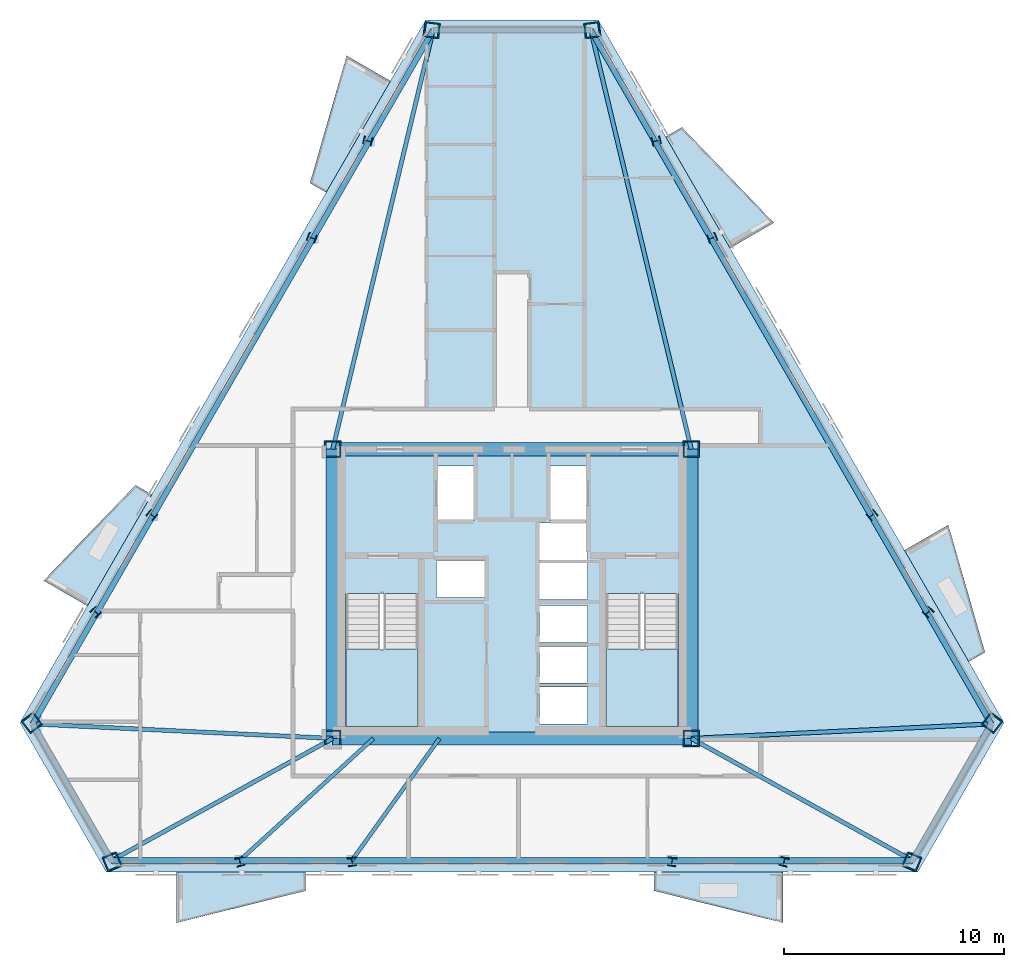
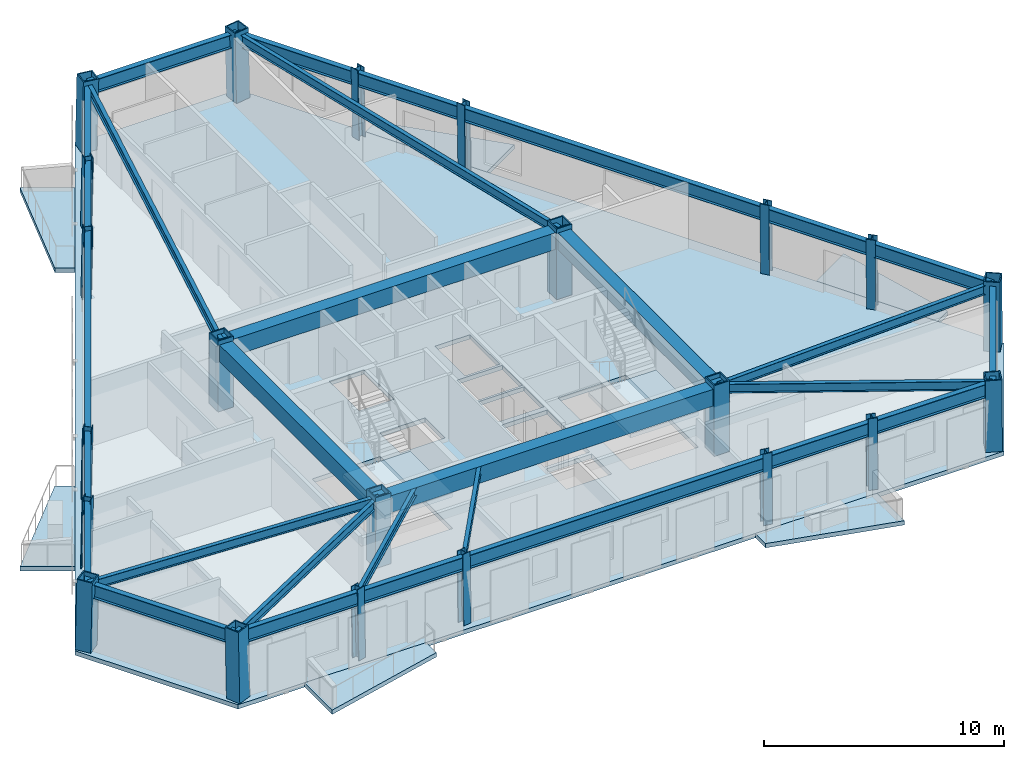
# One storey, part 1 of 9: 30 beams, 22 columns, 9 slabs, 2 elements without a shape of their own.
"""IFC4 building model written with IfcOpenShell, lengths in metres."""

import ifcopenshell
import ifcopenshell.guid

model = None  # the IFC model being written
_history = None  # IfcOwnerHistory: only IFC2X3 demands one
_inside = {}  # id of a spatial element -> (the spatial element, [elements in it])
_under = {}  # id of a project, library or spatial element -> (it, [spatial elements below it])
_declared = {}  # id of a project -> (the project, [libraries it declares])
_typed = {}  # id of a type object -> (the type object, [elements of that type])
_made_of = {}  # id of a material, layer set ... -> (it, [elements and type objects made of it])


def new_model(schema):
    """Start an empty IFC model of exactly this schema.

    Asked for "IFC4X3", IfcOpenShell would pick the latest addendum, in which some entities
    have other attributes; the version numbers below select the first issue.
    IFC2X3 requires an IfcOwnerHistory on every rooted entity: one is made here for all.
    """
    global model, _history
    if schema == "IFC4X3":
        model = ifcopenshell.file(schema_version=(4, 3, 0, 0))
    else:
        model = ifcopenshell.file(schema=schema)
    _inside.clear()
    _under.clear()
    _declared.clear()
    _typed.clear()
    _made_of.clear()
    _history = None
    if model.schema == "IFC2X3":
        org = make("IfcOrganization", Name="unknown")
        user = make(
            "IfcPersonAndOrganization",
            ThePerson=make("IfcPerson", FamilyName="unknown"),
            TheOrganization=org,
        )
        app = make(
            "IfcApplication",
            ApplicationDeveloper=org,
            Version="unknown",
            ApplicationFullName="unknown",
            ApplicationIdentifier="unknown",
        )
        _history = make(
            "IfcOwnerHistory",
            OwningUser=user,
            OwningApplication=app,
            ChangeAction="ADDED",
            CreationDate=0,
        )
    return model


def make(cls, **values):
    """One entity of the class cls with the attributes given. An attribute that is None is left unset."""
    return model.create_entity(
        cls, **{name: value for name, value in values.items() if value is not None}
    )


def rooted(cls, **values):
    """An entity with a GlobalId (a new one), such as an element, a storey or a relation."""
    return make(cls, GlobalId=ifcopenshell.guid.new(), OwnerHistory=_history, **values)


def si_unit(unit_type, name, prefix=None):
    """IfcSIUnit, for example si_unit("LENGTHUNIT", "METRE", prefix="MILLI")."""
    return make("IfcSIUnit", UnitType=unit_type, Prefix=prefix, Name=name)


def assignment(units):
    """IfcUnitAssignment: the units of a project."""
    return None if units is None else make("IfcUnitAssignment", Units=units)


def point(xyz):
    """IfcCartesianPoint."""
    return None if xyz is None else make("IfcCartesianPoint", Coordinates=xyz)


def direction(xyz):
    """IfcDirection."""
    return None if xyz is None else make("IfcDirection", DirectionRatios=xyz)


def frame(location, z_axis=None, x_axis=None):
    """IfcAxis2Placement3D, a coordinate frame: its origin and axes. An axis left out is left unset."""
    return make(
        "IfcAxis2Placement3D",
        Location=point(location),
        Axis=direction(z_axis),
        RefDirection=direction(x_axis),
    )


def frame_2d(location, x_axis=None):
    """IfcAxis2Placement2D, a coordinate frame in the plane: its origin and x axis."""
    return make(
        "IfcAxis2Placement2D", Location=point(location), RefDirection=direction(x_axis)
    )


def origin():
    """The frame at (0, 0, 0) with its axes left unset."""
    return frame((0.0, 0.0, 0.0))


def origin_2d():
    """The frame at (0, 0) in the plane with its x axis left unset."""
    return frame_2d((0.0, 0.0))


def place(relative_to, where):
    """IfcLocalPlacement: puts the frame where relative to a parent placement (None: the world)."""
    return make(
        "IfcLocalPlacement", PlacementRelTo=relative_to, RelativePlacement=where
    )


def context(
    kind, dimensions, precision=None, world=None, true_north=None, identifier=None
):
    """IfcGeometricRepresentationContext, for example the 3D "Model" context."""
    return make(
        "IfcGeometricRepresentationContext",
        ContextIdentifier=identifier,
        ContextType=kind,
        CoordinateSpaceDimension=dimensions,
        Precision=precision,
        WorldCoordinateSystem=world,
        TrueNorth=true_north,
    )


def subcontext(parent, identifier, kind, view, scale=None):
    """IfcGeometricRepresentationSubContext, for example "Body" below "Model"."""
    return make(
        "IfcGeometricRepresentationSubContext",
        ContextIdentifier=identifier,
        ContextType=kind,
        ParentContext=parent,
        TargetScale=scale,
        TargetView=view,
    )


def project(units=None, contexts=None):
    """IfcProject with its units and contexts."""
    return rooted(
        "IfcProject",
        Name="project",
        RepresentationContexts=contexts,
        UnitsInContext=assignment(units),
    )


def spatial(cls, under=None, at=None, **own):
    """A site, building, storey or space (cls), placed at a placement, below another one or the project."""
    s = rooted(cls, ObjectPlacement=at, **own)
    if under is not None:
        _under.setdefault(under.id(), (under, []))[1].append(s)
    return s


def polyline(points):
    """IfcPolyline through the points."""
    return make("IfcPolyline", Points=[point(p) for p in points])


def profile(cls, at=None, kind="AREA", **sizes):
    """A parametric profile (cls). Its sizes go by their IFC names, for example OverallWidth=200.0."""
    return make(cls, ProfileType=kind, Position=at, **sizes)


def rectangle(**sizes):
    """IfcRectangleProfileDef."""
    return profile("IfcRectangleProfileDef", **sizes)


def hollow_rectangle(**sizes):
    """IfcRectangleHollowProfileDef."""
    return profile("IfcRectangleHollowProfileDef", **sizes)


def i_section(**sizes):
    """IfcIShapeProfileDef."""
    return profile("IfcIShapeProfileDef", **sizes)


def outline(outer, holes=None, kind="AREA"):
    """IfcArbitraryClosedProfileDef: a profile drawn as a closed curve; with holes, ...WithVoids."""
    if holes is None:
        return make("IfcArbitraryClosedProfileDef", ProfileType=kind, OuterCurve=outer)
    return make(
        "IfcArbitraryProfileDefWithVoids",
        ProfileType=kind,
        OuterCurve=outer,
        InnerCurves=holes,
    )


def extrude(swept, where, along, depth):
    """IfcExtrudedAreaSolid: the profile swept, set in the frame where, extruded along a direction by depth."""
    return make(
        "IfcExtrudedAreaSolid",
        SweptArea=swept,
        Position=where,
        ExtrudedDirection=direction(along),
        Depth=depth,
    )


def shape(context_of_items, identifier, shape_type, items):
    """IfcShapeRepresentation: the items that make up one representation, for example the "Body"."""
    return make(
        "IfcShapeRepresentation",
        ContextOfItems=context_of_items,
        RepresentationIdentifier=identifier,
        RepresentationType=shape_type,
        Items=items,
    )


def material(Name=None, Category=None):
    """IfcMaterial."""
    return make("IfcMaterial", Name=Name, Category=Category)


def layer(
    of_material, thickness, ventilated=None, Name=None, Category=None, Priority=None
):
    """IfcMaterialLayer: one layer of a wall or slab, of a material (None: an air gap)."""
    return make(
        "IfcMaterialLayer",
        Material=of_material,
        LayerThickness=thickness,
        IsVentilated=ventilated,
        Name=Name,
        Category=Category,
        Priority=Priority,
    )


def layer_set(layers, Name=None):
    """IfcMaterialLayerSet."""
    return make("IfcMaterialLayerSet", MaterialLayers=layers, LayerSetName=Name)


def material_profile(
    of_material, cross_section, Name=None, Category=None, Priority=None
):
    """IfcMaterialProfile: a cross section and its material."""
    return make(
        "IfcMaterialProfile",
        Name=Name,
        Material=of_material,
        Profile=cross_section,
        Priority=Priority,
        Category=Category,
    )


def profile_set(profiles, Name=None, composite=None):
    """IfcMaterialProfileSet."""
    return make(
        "IfcMaterialProfileSet",
        Name=Name,
        MaterialProfiles=profiles,
        CompositeProfile=composite,
    )


def made_of(thing, what):
    """Note that an element or type object is made of a material, layer set ...; save() writes the relation."""
    if what is not None:
        _made_of.setdefault(what.id(), (what, []))[1].append(thing)
    return thing


def type_object(cls, material=None, **own):
    """A type object (cls), such as IfcWallType, which elements share."""
    return made_of(rooted(cls, **own), material)


def element(
    cls,
    number,
    at=None,
    inside=None,
    cuts=None,
    type_object=None,
    material=None,
    context=None,
    identifier="Body",
    shape_type=None,
    held_by="IfcProductDefinitionShape",
    body=None,
    shapes=None,
    **own,
):
    """One element of the class cls, such as IfcWall. Its Tag is "e" and its number.

    at: its placement. inside: the storey or other place that contains it. cuts: it is an
    opening in that element (IfcRelVoidsElement). A single representation is given by context,
    identifier, shape_type and body (its items); several are given by shapes. held_by: the class
    of the entity that holds the representations. save() writes the other relations.
    """
    e = rooted(cls, Tag="e%d" % number, ObjectPlacement=at, **own)
    if body is not None:
        shapes = [shape(context, identifier, shape_type, body)]
    if shapes is not None:
        e.Representation = make(held_by, Representations=shapes)
    if inside is not None:
        _inside.setdefault(inside.id(), (inside, []))[1].append(e)
    if cuts is not None:
        rooted(
            "IfcRelVoidsElement", RelatingBuildingElement=cuts, RelatedOpeningElement=e
        )
    if type_object is not None:
        _typed.setdefault(type_object.id(), (type_object, []))[1].append(e)
    return made_of(e, material)


def aggregate(whole, parts):
    """IfcRelAggregates: a whole, such as a stair, and the parts it consists of."""
    return rooted("IfcRelAggregates", RelatingObject=whole, RelatedObjects=parts)


def save(model, path):
    """Write the relations noted so far, then the file.

    IfcRelAggregates (storeys below a building ...), IfcRelContainedInSpatialStructure (elements
    in a storey), IfcRelDefinesByType, IfcRelAssociatesMaterial and IfcRelDeclares: one each for
    every whole, place, type object, material and project.
    """
    for whole, parts in _under.values():
        aggregate(whole, parts)
    for where, things in _inside.values():
        rooted(
            "IfcRelContainedInSpatialStructure",
            RelatedElements=things,
            RelatingStructure=where,
        )
    for kind, things in _typed.values():
        rooted("IfcRelDefinesByType", RelatedObjects=things, RelatingType=kind)
    for what, things in _made_of.values():
        rooted("IfcRelAssociatesMaterial", RelatedObjects=things, RelatingMaterial=what)
    for by, libraries in _declared.values():
        rooted("IfcRelDeclares", RelatingContext=by, RelatedDefinitions=libraries)
    model.write(path)


model = new_model("IFC4")

# Units and contexts
model_context = context("Model", 3, precision=1e-05, world=origin(), true_north=direction((0.0, 1.0)))
body_context = subcontext(model_context, "Body", "Model", "MODEL_VIEW")
ifc_project = project(units=[si_unit("LENGTHUNIT", "METRE"), si_unit("AREAUNIT", "SQUARE_METRE"), si_unit("VOLUMEUNIT", "CUBIC_METRE"), si_unit("PLANEANGLEUNIT", "RADIAN"), si_unit("MASSUNIT", "GRAM", prefix="KILO")], contexts=[model_context])

# Site, building, storey
site_placement = place(None, origin())
site = spatial("IfcSite", under=ifc_project, at=site_placement, CompositionType="ELEMENT")
building_placement = place(site_placement, origin())
building = spatial("IfcBuilding", under=site, at=building_placement, Name="Oramaril Tower", CompositionType="ELEMENT")
storey_placement = place(building_placement, frame((0.0, 0.0, 201.0)))
storey = spatial("IfcBuildingStorey", under=building, at=storey_placement, Name="L53", CompositionType="ELEMENT", Elevation=201.0)

# Columns
ifc_material_1 = material(Name="Steel ASTM A572 Gr 50", Category="steel")
ifc_material_profile_1 = material_profile(ifc_material_1, hollow_rectangle(XDim=0.75, YDim=0.75, WallThickness=0.06005859375, at=origin_2d()), Name="BOX750X750X60")
ifc_profile_set_1 = profile_set([ifc_material_profile_1], Name="Steel ASTM A572 Gr 50")
column_type_1 = type_object("IfcColumnType", Name="CT-CC4", PredefinedType="COLUMN", material=ifc_profile_set_1)
for number, where, z_axis, x_axis, name in (
    (1, (29.35009765625, 11.0, 0.0), (0.0, 0.0, 1.0), (1.0, 0.0, 0.0), "L53 Core Column CC-1"),
    (2, (45.64990234375, 11.0, 0.0), (0.0, 0.0, 1.0), (1.0, 0.0, 0.0), "L53 Core Column CC-2"),
    (3, (45.64990234375, 24.14990234375, 0.0), (0.0, 0.0, 1.0), (1.0, 0.0, 0.0), "L53 Core Column CC-3"),
    (4, (29.35009765625, 24.14990234375, 0.0), (0.0, 0.0, 1.0), (1.0, 0.0, 0.0), "L53 Core Column CC-4"),
):
    element("IfcColumn", number, at=place(storey_placement, frame(where, z_axis=z_axis, x_axis=x_axis)), inside=storey, type_object=column_type_1, Name=name, PredefinedType="COLUMN", context=body_context, shape_type="SweptSolid", body=[
        extrude(hollow_rectangle(XDim=0.75, YDim=0.75, WallThickness=0.06005859375, at=origin_2d()), origin(), (0.0, 0.0, 1.0), 3.60009765625),
    ])
ifc_material_2 = material(Name="Steel ASTM A572 Gr 50", Category="steel")
ifc_material_profile_2 = material_profile(ifc_material_2, hollow_rectangle(XDim=0.699951171875, YDim=0.699951171875, WallThickness=0.054931640625, at=origin_2d()), Name="BOX700X700X55")
ifc_profile_set_2 = profile_set([ifc_material_profile_2], Name="Steel ASTM A572 Gr 50")
column_type_2 = type_object("IfcColumnType", Name="CT-TC4", PredefinedType="COLUMN", material=ifc_profile_set_2)
for number, where, z_axis, x_axis, name in (
    (5, (15.664794921875, 11.71875, 0.00439453125), (0.012506677071, -0.016448999192, 0.999786483933), (0.796035404545, 0.605250059654, 0.0), "L53 Tube Column TC-01"),
    (6, (19.32421875, 5.380615234375, 0.00439453125), (-0.008088544337, 0.019099839989, 0.999784862639), (-0.920831510968, -0.389960675463, 0.0), "L53 Tube Column TC-02"),
    (7, (55.67578125, 5.380615234375, 0.00439453125), (0.008088544337, 0.019099839989, 0.999784862639), (-0.920831510968, 0.389960675463, 0.0), "L53 Tube Column TC-03"),
    (8, (59.335205078125, 11.71875, 0.00439453125), (-0.012506677071, -0.016448999192, 0.999786483933), (0.796035404545, -0.605250059654, 0.0), "L53 Tube Column TC-04"),
    (9, (41.1591796875, 43.200439453125, 0.00439453125), (-0.020527252643, -0.002582899339, 0.999785957358), (0.124843395554, -0.9921764594, 0.0), "L53 Tube Column TC-05"),
    (10, (33.8408203125, 43.200439453125, 0.00439453125), (0.020527252643, -0.002582899339, 0.999785957358), (0.124843395554, 0.9921764594, 0.0), "L53 Tube Column TC-06"),
):
    element("IfcColumn", number, at=place(storey_placement, frame(where, z_axis=z_axis, x_axis=x_axis)), inside=storey, type_object=column_type_2, Name=name, PredefinedType="COLUMN", context=body_context, shape_type="SweptSolid", body=[
        extrude(hollow_rectangle(XDim=0.699951171875, YDim=0.699951171875, WallThickness=0.054931640625, at=origin_2d()), origin(), (0.0, 0.0, 1.0), 3.591796875),
    ])
ifc_material_3 = material(Name="Steel ASTM A572 Gr 50", Category="steel")
ifc_material_profile_3 = material_profile(ifc_material_3, i_section(OverallWidth=0.39892578125, OverallDepth=0.385986328125, WebThickness=0.02099609375, FlangeThickness=0.033203125, at=origin_2d()), Name="W14X176")
ifc_profile_set_3 = profile_set([ifc_material_profile_3], Name="Steel ASTM A572 Gr 50")
column_type_3 = type_object("IfcColumnType", Name="CT-TF4", PredefinedType="COLUMN", material=ifc_profile_set_3)
for number, where, z_axis, x_axis, name in (
    (11, (25.140380859375, 5.380615234375, 0.00439453125), (-0.005505744487, 0.019100175319, 0.99980241552), (-0.960876109583, -0.276978522691, 0.0), "L53 Tube Column TC-07"),
    (12, (30.2294921875, 5.380615234375, 0.00439453125), (-0.003194723364, 0.019100367347, 0.999812467271), (-0.986298895816, -0.164968142717, 0.0), "L53 Tube Column TC-08"),
    (13, (44.7705078125, 5.380615234375, 0.00439453125), (0.003194723364, 0.019100367347, 0.999812467271), (-0.986298895816, 0.164968142717, 0.0), "L53 Tube Column TC-09"),
    (14, (49.859619140625, 5.380615234375, 0.00439453125), (0.005505744487, 0.019100175319, 0.99980241552), (-0.960876109583, 0.276978522691, 0.0), "L53 Tube Column TC-10"),
    (15, (56.427001953125, 16.755859375, 0.00439453125), (-0.013798354084, -0.014274159397, 0.999802907476), (0.718988376049, -0.695022096847, 0.0), "L53 Tube Column TC-11"),
    (16, (53.882568359375, 21.163330078125, 0.00439453125), (-0.014954024568, -0.012303083849, 0.999812488058), (0.635338071095, -0.772234119563, 0.0), "L53 Tube Column TC-12"),
    (17, (46.612060546875, 33.756103515625, 0.00439453125), (-0.018148742632, -0.006797281885, 0.999812192414), (0.350739040452, -0.936473238007, 0.0), "L53 Tube Column TC-13"),
    (18, (44.0673828125, 38.163330078125, 0.00439453125), (-0.019236137046, -0.004826027316, 0.999803320905), (0.243341976957, -0.96994055604, 0.0), "L53 Tube Column TC-14"),
    (19, (30.9326171875, 38.163330078125, 0.00439453125), (0.019236137046, -0.004826027316, 0.999803320905), (0.243341976957, 0.96994055604, 0.0), "L53 Tube Column TC-15"),
    (20, (28.387939453125, 33.756103515625, 0.00439453125), (0.018148742632, -0.006797281885, 0.999812192414), (0.350739040452, 0.936473238007, 0.0), "L53 Tube Column TC-16"),
    (21, (21.117431640625, 21.163330078125, 0.00439453125), (0.014954024568, -0.012303083849, 0.999812488058), (0.635338071095, 0.772234119563, 0.0), "L53 Tube Column TC-17"),
    (22, (18.572998046875, 16.755859375, 0.00439453125), (0.013798354084, -0.014274159397, 0.999802907476), (0.718988376049, 0.695022096847, 0.0), "L53 Tube Column TC-18"),
):
    element("IfcColumn", number, at=place(storey_placement, frame(where, z_axis=z_axis, x_axis=x_axis)), inside=storey, type_object=column_type_3, Name=name, PredefinedType="COLUMN", context=body_context, shape_type="SweptSolid", body=[
        extrude(i_section(OverallWidth=0.39892578125, OverallDepth=0.385986328125, WebThickness=0.02099609375, FlangeThickness=0.033203125, at=origin_2d()), origin(), (0.0, 0.0, 1.0), 3.591796875),
    ])

# Beams
ifc_material_4 = material(Name="Steel ASTM A572 Gr 50", Category="steel")
ifc_material_profile_4 = material_profile(ifc_material_4, i_section(OverallWidth=0.19091796875, OverallDepth=0.45703125, WebThickness=0.009033203125, FlangeThickness=0.014404296875, at=origin_2d()), Name="W18X50")
ifc_profile_set_4 = profile_set([ifc_material_profile_4], Name="Steel ASTM A572 Gr 50")
beam_type_1 = type_object("IfcBeamType", Name="BT-BB1", PredefinedType="BEAM", material=ifc_profile_set_4)
beam_1_placement = place(storey_placement, frame((29.35009765625, 11.0, 3.151611328125), z_axis=(-0.998832634603, 0.048304948519, 0.0), x_axis=(-0.048304948519, -0.998832634603, 0.0)))
element("IfcBeam", 23, at=beam_1_placement, inside=storey, type_object=beam_type_1, Name="L53 Radial Primary Beam RB-01", PredefinedType="BEAM", context=body_context, shape_type="SweptSolid", body=[
    extrude(i_section(OverallWidth=0.19091796875, OverallDepth=0.45703125, WebThickness=0.009033203125, FlangeThickness=0.014404296875, at=origin_2d()), origin(), (0.0, 0.0, 1.0), 13.65625),
])
for number, where, z_axis, x_axis, name in (
    (24, (29.35009765625, 11.0, 3.151611328125), (-0.875458604223, -0.483293112192, 0.0), (0.483293112192, -0.875458604223, 0.0), "L53 Radial Primary Beam RB-02"),
    (25, (45.64990234375, 11.0, 3.151611328125), (0.875458604223, -0.483293112192, 0.0), (0.483293112192, 0.875458604223, 0.0), "L53 Radial Primary Beam RB-03"),
):
    element("IfcBeam", number, at=place(storey_placement, frame(where, z_axis=z_axis, x_axis=x_axis)), inside=storey, type_object=beam_type_1, Name=name, PredefinedType="BEAM", context=body_context, shape_type="SweptSolid", body=[
        extrude(i_section(OverallWidth=0.19091796875, OverallDepth=0.45703125, WebThickness=0.009033203125, FlangeThickness=0.014404296875, at=origin_2d()), origin(), (0.0, 0.0, 1.0), 11.4853515625),
    ])
beam_2_placement = place(storey_placement, frame((45.64990234375, 11.0, 3.151611328125), z_axis=(0.998832634603, 0.048304948519, 0.0), x_axis=(-0.048304948519, 0.998832634603, 0.0)))
element("IfcBeam", 26, at=beam_2_placement, inside=storey, type_object=beam_type_1, Name="L53 Radial Primary Beam RB-04", PredefinedType="BEAM", context=body_context, shape_type="SweptSolid", body=[
    extrude(i_section(OverallWidth=0.19091796875, OverallDepth=0.45703125, WebThickness=0.009033203125, FlangeThickness=0.014404296875, at=origin_2d()), origin(), (0.0, 0.0, 1.0), 13.65625),
])
for number, where, z_axis, x_axis, name in (
    (27, (45.64990234375, 24.14990234375, 3.151611328125), (-0.233109805312, 0.972450419645, 0.0), (-0.972450419645, -0.233109805312, 0.0), "L53 Radial Primary Beam RB-05"),
    (28, (29.35009765625, 24.14990234375, 3.151611328125), (0.233109805312, 0.972450419645, 0.0), (-0.972450419645, 0.233109805312, 0.0), "L53 Radial Primary Beam RB-06"),
):
    element("IfcBeam", number, at=place(storey_placement, frame(where, z_axis=z_axis, x_axis=x_axis)), inside=storey, type_object=beam_type_1, Name=name, PredefinedType="BEAM", context=body_context, shape_type="SweptSolid", body=[
        extrude(i_section(OverallWidth=0.19091796875, OverallDepth=0.45703125, WebThickness=0.009033203125, FlangeThickness=0.014404296875, at=origin_2d()), origin(), (0.0, 0.0, 1.0), 19.580810546875),
    ])
ifc_material_5 = material(Name="Concrete C50/60", Category="concrete")
ifc_material_profile_5 = material_profile(ifc_material_5, rectangle(XDim=0.60009765625, YDim=0.85009765625, at=origin_2d()), Name="CB600X850")
ifc_profile_set_5 = profile_set([ifc_material_profile_5], Name="Concrete C50/60")
beam_type_2 = type_object("IfcBeamType", Name="BT-CB2", PredefinedType="BEAM", material=ifc_profile_set_5)
beam_3_placement = place(storey_placement, frame((29.35009765625, 11.0, 2.955078125), z_axis=(1.0, 0.0, 0.0), x_axis=(0.0, 1.0, 0.0)))
element("IfcBeam", 29, at=beam_3_placement, inside=storey, type_object=beam_type_2, Name="L53 Core Header Beam CB-1", PredefinedType="BEAM", context=body_context, shape_type="SweptSolid", body=[
    extrude(rectangle(XDim=0.60009765625, YDim=0.85009765625, at=origin_2d()), origin(), (0.0, 0.0, 1.0), 16.2998046875),
])
beam_4_placement = place(storey_placement, frame((45.64990234375, 11.0, 2.955078125), z_axis=(0.0, 1.0, 0.0), x_axis=(-1.0, 0.0, 0.0)))
element("IfcBeam", 30, at=beam_4_placement, inside=storey, type_object=beam_type_2, Name="L53 Core Header Beam CB-2", PredefinedType="BEAM", context=body_context, shape_type="SweptSolid", body=[
    extrude(rectangle(XDim=0.60009765625, YDim=0.85009765625, at=origin_2d()), origin(), (0.0, 0.0, 1.0), 13.14990234375),
])
beam_5_placement = place(storey_placement, frame((45.64990234375, 24.14990234375, 2.955078125), z_axis=(-1.0, 0.0, 0.0), x_axis=(0.0, -1.0, 0.0)))
element("IfcBeam", 31, at=beam_5_placement, inside=storey, type_object=beam_type_2, Name="L53 Core Header Beam CB-3", PredefinedType="BEAM", context=body_context, shape_type="SweptSolid", body=[
    extrude(rectangle(XDim=0.60009765625, YDim=0.85009765625, at=origin_2d()), origin(), (0.0, 0.0, 1.0), 16.2998046875),
])
beam_6_placement = place(storey_placement, frame((29.35009765625, 24.14990234375, 2.955078125), z_axis=(0.0, -1.0, 0.0), x_axis=(1.0, 0.0, 0.0)))
element("IfcBeam", 32, at=beam_6_placement, inside=storey, type_object=beam_type_2, Name="L53 Core Header Beam CB-4", PredefinedType="BEAM", context=body_context, shape_type="SweptSolid", body=[
    extrude(rectangle(XDim=0.60009765625, YDim=0.85009765625, at=origin_2d()), origin(), (0.0, 0.0, 1.0), 13.14990234375),
])
ifc_material_6 = material(Name="Steel ASTM A572 Gr 50", Category="steel")
ifc_material_profile_6 = material_profile(ifc_material_6, i_section(OverallWidth=0.177978515625, OverallDepth=0.404052734375, WebThickness=0.007568359375, FlangeThickness=0.010986328125, at=origin_2d()), Name="W16X36")
ifc_profile_set_6 = profile_set([ifc_material_profile_6], Name="Steel ASTM A572 Gr 50")
beam_type_3 = type_object("IfcBeamType", Name="BT-SB1", PredefinedType="BEAM", material=ifc_profile_set_6)
beam_7_placement = place(storey_placement, frame((31.199951171875, 11.0, 3.177978515625), z_axis=(-0.738480999549, -0.674274286404, 0.0), x_axis=(0.674274286404, -0.738480999549, 0.0)))
element("IfcBeam", 33, at=beam_7_placement, inside=storey, type_object=beam_type_3, Name="L53 Secondary Floor Beam SB-01", PredefinedType="BEAM", context=body_context, shape_type="SweptSolid", body=[
    extrude(i_section(OverallWidth=0.177978515625, OverallDepth=0.404052734375, WebThickness=0.007568359375, FlangeThickness=0.010986328125, at=origin_2d()), origin(), (0.0, 0.0, 1.0), 8.232177734375),
])
beam_8_placement = place(storey_placement, frame((34.199951171875, 11.0, 3.177978515625), z_axis=(-0.582893513091, -0.81254855387, 0.0), x_axis=(0.81254855387, -0.582893513091, 0.0)))
element("IfcBeam", 34, at=beam_8_placement, inside=storey, type_object=beam_type_3, Name="L53 Secondary Floor Beam SB-02", PredefinedType="BEAM", context=body_context, shape_type="SweptSolid", body=[
    extrude(i_section(OverallWidth=0.177978515625, OverallDepth=0.404052734375, WebThickness=0.007568359375, FlangeThickness=0.010986328125, at=origin_2d()), origin(), (0.0, 0.0, 1.0), 6.831298828125),
])
ifc_material_7 = material(Name="Steel ASTM A572 Gr 50", Category="steel")
ifc_material_profile_7 = material_profile(ifc_material_7, i_section(OverallWidth=0.257080078125, OverallDepth=0.693115234375, WebThickness=0.014404296875, FlangeThickness=0.023681640625, at=origin_2d()), Name="W27X114")
ifc_profile_set_7 = profile_set([ifc_material_profile_7], Name="Steel ASTM A572 Gr 50")
beam_type_4 = type_object("IfcBeamType", Name="BT-SP4", PredefinedType="SPANDREL", material=ifc_profile_set_7)
beam_9_placement = place(storey_placement, frame((15.709716796875, 11.65966796875, 3.033447265625), z_axis=(0.499983756713, -0.866034781647, 0.0), x_axis=(0.866034781647, 0.499983756713, 0.0)))
element("IfcBeam", 35, at=beam_9_placement, inside=storey, type_object=beam_type_4, Name="L53 Perimeter Spandrel 01", PredefinedType="SPANDREL", context=body_context, shape_type="SweptSolid", body=[
    extrude(i_section(OverallWidth=0.257080078125, OverallDepth=0.693115234375, WebThickness=0.014404296875, FlangeThickness=0.023681640625, at=origin_2d()), origin(), (0.0, 0.0, 1.0), 7.171142578125),
])
beam_10_placement = place(storey_placement, frame((19.295166015625, 5.44921875, 3.033447265625), z_axis=(1.0, 0.0, 0.0), x_axis=(0.0, 1.0, 0.0)))
element("IfcBeam", 36, at=beam_10_placement, inside=storey, type_object=beam_type_4, Name="L53 Perimeter Spandrel 02", PredefinedType="SPANDREL", context=body_context, shape_type="SweptSolid", body=[
    extrude(i_section(OverallWidth=0.257080078125, OverallDepth=0.693115234375, WebThickness=0.014404296875, FlangeThickness=0.023681640625, at=origin_2d()), origin(), (0.0, 0.0, 1.0), 5.825439453125),
])
beam_11_placement = place(storey_placement, frame((25.12060546875, 5.44921875, 3.033447265625), z_axis=(1.0, 0.0, 0.0), x_axis=(0.0, 1.0, 0.0)))
element("IfcBeam", 37, at=beam_11_placement, inside=storey, type_object=beam_type_4, Name="L53 Perimeter Spandrel 03", PredefinedType="SPANDREL", context=body_context, shape_type="SweptSolid", body=[
    extrude(i_section(OverallWidth=0.257080078125, OverallDepth=0.693115234375, WebThickness=0.014404296875, FlangeThickness=0.023681640625, at=origin_2d()), origin(), (0.0, 0.0, 1.0), 5.097412109375),
])
beam_12_placement = place(storey_placement, frame((30.218017578125, 5.44921875, 3.033447265625), z_axis=(1.0, 0.0, 0.0), x_axis=(0.0, 1.0, 0.0)))
element("IfcBeam", 38, at=beam_12_placement, inside=storey, type_object=beam_type_4, Name="L53 Perimeter Spandrel 04", PredefinedType="SPANDREL", context=body_context, shape_type="SweptSolid", body=[
    extrude(i_section(OverallWidth=0.257080078125, OverallDepth=0.693115234375, WebThickness=0.014404296875, FlangeThickness=0.023681640625, at=origin_2d()), origin(), (0.0, 0.0, 1.0), 14.56396484375),
])
beam_13_placement = place(storey_placement, frame((44.781982421875, 5.44921875, 3.033447265625), z_axis=(1.0, 0.0, 0.0), x_axis=(0.0, 1.0, 0.0)))
element("IfcBeam", 39, at=beam_13_placement, inside=storey, type_object=beam_type_4, Name="L53 Perimeter Spandrel 05", PredefinedType="SPANDREL", context=body_context, shape_type="SweptSolid", body=[
    extrude(i_section(OverallWidth=0.257080078125, OverallDepth=0.693115234375, WebThickness=0.014404296875, FlangeThickness=0.023681640625, at=origin_2d()), origin(), (0.0, 0.0, 1.0), 5.097412109375),
])
beam_14_placement = place(storey_placement, frame((49.87939453125, 5.44921875, 3.033447265625), z_axis=(1.0, 0.0, 0.0), x_axis=(0.0, 1.0, 0.0)))
element("IfcBeam", 40, at=beam_14_placement, inside=storey, type_object=beam_type_4, Name="L53 Perimeter Spandrel 06", PredefinedType="SPANDREL", context=body_context, shape_type="SweptSolid", body=[
    extrude(i_section(OverallWidth=0.257080078125, OverallDepth=0.693115234375, WebThickness=0.014404296875, FlangeThickness=0.023681640625, at=origin_2d()), origin(), (0.0, 0.0, 1.0), 5.825439453125),
])
beam_15_placement = place(storey_placement, frame((55.704833984375, 5.44921875, 3.033447265625), z_axis=(0.499983756713, 0.866034781647, 0.0), x_axis=(-0.866034781647, 0.499983756713, 0.0)))
element("IfcBeam", 41, at=beam_15_placement, inside=storey, type_object=beam_type_4, Name="L53 Perimeter Spandrel 07", PredefinedType="SPANDREL", context=body_context, shape_type="SweptSolid", body=[
    extrude(i_section(OverallWidth=0.257080078125, OverallDepth=0.693115234375, WebThickness=0.014404296875, FlangeThickness=0.023681640625, at=origin_2d()), origin(), (0.0, 0.0, 1.0), 7.171142578125),
])
beam_16_placement = place(storey_placement, frame((59.290283203125, 11.65966796875, 3.033447265625), z_axis=(-0.50001992892, 0.866013897511, 0.0), x_axis=(-0.866013897511, -0.50001992892, 0.0)))
element("IfcBeam", 42, at=beam_16_placement, inside=storey, type_object=beam_type_4, Name="L53 Perimeter Spandrel 08", PredefinedType="SPANDREL", context=body_context, shape_type="SweptSolid", body=[
    extrude(i_section(OverallWidth=0.257080078125, OverallDepth=0.693115234375, WebThickness=0.014404296875, FlangeThickness=0.023681640625, at=origin_2d()), origin(), (0.0, 0.0, 1.0), 5.825439453125),
])
beam_17_placement = place(storey_placement, frame((56.37744140625, 16.70458984375, 3.033447265625), z_axis=(-0.499976738347, 0.866038833489, 0.0), x_axis=(-0.866038833489, -0.499976738347, 0.0)))
element("IfcBeam", 43, at=beam_17_placement, inside=storey, type_object=beam_type_4, Name="L53 Perimeter Spandrel 09", PredefinedType="SPANDREL", context=body_context, shape_type="SweptSolid", body=[
    extrude(i_section(OverallWidth=0.257080078125, OverallDepth=0.693115234375, WebThickness=0.014404296875, FlangeThickness=0.023681640625, at=origin_2d()), origin(), (0.0, 0.0, 1.0), 5.097412109375),
])
beam_18_placement = place(storey_placement, frame((53.828857421875, 21.119140625, 3.033447265625), z_axis=(-0.500006383672, 0.866021718138, 0.0), x_axis=(-0.866021718138, -0.500006383672, 0.0)))
element("IfcBeam", 44, at=beam_18_placement, inside=storey, type_object=beam_type_4, Name="L53 Perimeter Spandrel 10", PredefinedType="SPANDREL", context=body_context, shape_type="SweptSolid", body=[
    extrude(i_section(OverallWidth=0.257080078125, OverallDepth=0.693115234375, WebThickness=0.014404296875, FlangeThickness=0.023681640625, at=origin_2d()), origin(), (0.0, 0.0, 1.0), 14.563720703125),
])
beam_19_placement = place(storey_placement, frame((46.546875, 33.731689453125, 3.033447265625), z_axis=(-0.499997477599, 0.866026860089, 0.0), x_axis=(-0.866026860089, -0.499997477599, 0.0)))
element("IfcBeam", 45, at=beam_19_placement, inside=storey, type_object=beam_type_4, Name="L53 Perimeter Spandrel 11", PredefinedType="SPANDREL", context=body_context, shape_type="SweptSolid", body=[
    extrude(i_section(OverallWidth=0.257080078125, OverallDepth=0.693115234375, WebThickness=0.014404296875, FlangeThickness=0.023681640625, at=origin_2d()), origin(), (0.0, 0.0, 1.0), 5.09716796875),
])
beam_20_placement = place(storey_placement, frame((43.998291015625, 38.14599609375, 3.033447265625), z_axis=(-0.500001781725, 0.866024375103, 0.0), x_axis=(-0.866024375103, -0.500001781725, 0.0)))
element("IfcBeam", 46, at=beam_20_placement, inside=storey, type_object=beam_type_4, Name="L53 Perimeter Spandrel 12", PredefinedType="SPANDREL", context=body_context, shape_type="SweptSolid", body=[
    extrude(i_section(OverallWidth=0.257080078125, OverallDepth=0.693115234375, WebThickness=0.014404296875, FlangeThickness=0.023681640625, at=origin_2d()), origin(), (0.0, 0.0, 1.0), 5.82568359375),
])
beam_21_placement = place(storey_placement, frame((41.08544921875, 43.191162109375, 3.033447265625), z_axis=(-1.0, 0.0, 0.0), x_axis=(0.0, -1.0, 0.0)))
element("IfcBeam", 47, at=beam_21_placement, inside=storey, type_object=beam_type_4, Name="L53 Perimeter Spandrel 13", PredefinedType="SPANDREL", context=body_context, shape_type="SweptSolid", body=[
    extrude(i_section(OverallWidth=0.257080078125, OverallDepth=0.693115234375, WebThickness=0.014404296875, FlangeThickness=0.023681640625, at=origin_2d()), origin(), (0.0, 0.0, 1.0), 7.1708984375),
])
beam_22_placement = place(storey_placement, frame((33.91455078125, 43.191162109375, 3.033447265625), z_axis=(-0.500001781725, -0.866024375103, 0.0), x_axis=(0.866024375103, -0.500001781725, 0.0)))
element("IfcBeam", 48, at=beam_22_placement, inside=storey, type_object=beam_type_4, Name="L53 Perimeter Spandrel 14", PredefinedType="SPANDREL", context=body_context, shape_type="SweptSolid", body=[
    extrude(i_section(OverallWidth=0.257080078125, OverallDepth=0.693115234375, WebThickness=0.014404296875, FlangeThickness=0.023681640625, at=origin_2d()), origin(), (0.0, 0.0, 1.0), 5.82568359375),
])
beam_23_placement = place(storey_placement, frame((31.001708984375, 38.14599609375, 3.033447265625), z_axis=(-0.499997477599, -0.866026860089, 0.0), x_axis=(0.866026860089, -0.499997477599, 0.0)))
element("IfcBeam", 49, at=beam_23_placement, inside=storey, type_object=beam_type_4, Name="L53 Perimeter Spandrel 15", PredefinedType="SPANDREL", context=body_context, shape_type="SweptSolid", body=[
    extrude(i_section(OverallWidth=0.257080078125, OverallDepth=0.693115234375, WebThickness=0.014404296875, FlangeThickness=0.023681640625, at=origin_2d()), origin(), (0.0, 0.0, 1.0), 5.09716796875),
])
beam_24_placement = place(storey_placement, frame((28.453125, 33.731689453125, 3.033447265625), z_axis=(-0.500006383672, -0.866021718138, 0.0), x_axis=(0.866021718138, -0.500006383672, 0.0)))
element("IfcBeam", 50, at=beam_24_placement, inside=storey, type_object=beam_type_4, Name="L53 Perimeter Spandrel 16", PredefinedType="SPANDREL", context=body_context, shape_type="SweptSolid", body=[
    extrude(i_section(OverallWidth=0.257080078125, OverallDepth=0.693115234375, WebThickness=0.014404296875, FlangeThickness=0.023681640625, at=origin_2d()), origin(), (0.0, 0.0, 1.0), 14.563720703125),
])
beam_25_placement = place(storey_placement, frame((21.171142578125, 21.119140625, 3.033447265625), z_axis=(-0.499976738347, -0.866038833489, 0.0), x_axis=(0.866038833489, -0.499976738347, 0.0)))
element("IfcBeam", 51, at=beam_25_placement, inside=storey, type_object=beam_type_4, Name="L53 Perimeter Spandrel 17", PredefinedType="SPANDREL", context=body_context, shape_type="SweptSolid", body=[
    extrude(i_section(OverallWidth=0.257080078125, OverallDepth=0.693115234375, WebThickness=0.014404296875, FlangeThickness=0.023681640625, at=origin_2d()), origin(), (0.0, 0.0, 1.0), 5.097412109375),
])
beam_26_placement = place(storey_placement, frame((18.62255859375, 16.70458984375, 3.033447265625), z_axis=(-0.50001992892, -0.866013897511, 0.0), x_axis=(0.866013897511, -0.50001992892, 0.0)))
element("IfcBeam", 52, at=beam_26_placement, inside=storey, type_object=beam_type_4, Name="L53 Perimeter Spandrel 18", PredefinedType="SPANDREL", context=body_context, shape_type="SweptSolid", body=[
    extrude(i_section(OverallWidth=0.257080078125, OverallDepth=0.693115234375, WebThickness=0.014404296875, FlangeThickness=0.023681640625, at=origin_2d()), origin(), (0.0, 0.0, 1.0), 5.825439453125),
])

# Slabs
ifc_material_8 = material(Name="Concrete C40/50", Category="concrete")
ifc_layer_1 = layer(ifc_material_8, 0.199951171875)
ifc_layer_set_1 = layer_set([ifc_layer_1], Name="SLT-BAL20")
slab_type_1 = type_object("IfcSlabType", Name="SLT-BAL20", PredefinedType="FLOOR", material=ifc_layer_set_1)
slab_1_placement = place(storey_placement, frame((0.0, 0.0, -0.219970703125)))
element("IfcSlab", 53, at=slab_1_placement, inside=storey, type_object=slab_type_1, Name="L53 Cantilevered Balcony Slab L53-BAL-S1", PredefinedType="FLOOR", context=body_context, shape_type="SweptSolid", body=[
    extrude(outline(polyline([(22.258544921875, 4.922607421875), (28.1083984375, 4.922607421875), (28.1083984375, 4.07080078125), (22.258544921875, 2.62060546875), (22.258544921875, 4.922607421875)])), origin(), (0.0, 0.0, 1.0), 0.219970703125),
])
slab_2_placement = place(storey_placement, frame((0.0, 0.0, -0.219970703125)))
element("IfcSlab", 54, at=slab_2_placement, inside=storey, type_object=slab_type_1, Name="L53 Cantilevered Balcony Slab L53-BAL-NE2", PredefinedType="FLOOR", context=body_context, shape_type="SweptSolid", body=[
    extrude(outline(polyline([(47.41064453125, 33.288818359375), (44.485595703125, 38.35498046875), (45.223388671875, 38.781005859375), (49.404296875, 34.43994140625), (47.41064453125, 33.288818359375)])), origin(), (0.0, 0.0, 1.0), 0.219970703125),
])
slab_3_placement = place(storey_placement, frame((0.0, 0.0, -0.219970703125)))
element("IfcSlab", 55, at=slab_3_placement, inside=storey, type_object=slab_type_1, Name="L53 Cantilevered Balcony Slab L53-BAL-NW1", PredefinedType="FLOOR", context=body_context, shape_type="SweptSolid", body=[
    extrude(outline(polyline([(31.976806640625, 40.88818359375), (29.0517578125, 35.822021484375), (28.31396484375, 36.248046875), (29.983154296875, 42.039306640625), (31.976806640625, 40.88818359375)])), origin(), (0.0, 0.0, 1.0), 0.219970703125),
])
ifc_material_9 = material(Name="Concrete C50/60", Category="concrete")
ifc_layer_2 = layer(ifc_material_9, 0.219970703125)
ifc_layer_set_2 = layer_set([ifc_layer_2], Name="SLT-FLR22")
slab_type_2 = type_object("IfcSlabType", Name="SLT-FLR22", PredefinedType="FLOOR", material=ifc_layer_set_2)
slab_4_placement = place(storey_placement, frame((0.0, 0.0, -0.219970703125)))
element("IfcSlab", 56, at=slab_4_placement, inside=storey, type_object=slab_type_2, Name="L53 Structural Floor Slab", PredefinedType="FLOOR", context=body_context, shape_type="SweptSolid", body=[
    extrude(outline(polyline([(15.133544921875, 11.71875), (19.05859375, 4.920654296875), (55.94140625, 4.920654296875), (59.866455078125, 11.71875), (41.4248046875, 43.660400390625), (33.5751953125, 43.660400390625), (15.133544921875, 11.71875)]), holes=[polyline([(29.949951171875, 17.58935546875), (29.949951171875, 11.550048828125), (33.219970703125, 11.550048828125), (33.219970703125, 17.58935546875), (29.949951171875, 17.58935546875)]), polyline([(41.780029296875, 17.58935546875), (41.780029296875, 11.550048828125), (45.050048828125, 11.550048828125), (45.050048828125, 17.58935546875), (41.780029296875, 17.58935546875)]), polyline([(34.110107421875, 20.909912109375), (35.7900390625, 20.909912109375), (35.7900390625, 23.389892578125), (34.110107421875, 23.389892578125), (34.110107421875, 20.909912109375)]), polyline([(39.2099609375, 20.909912109375), (40.889892578125, 20.909912109375), (40.889892578125, 23.389892578125), (39.2099609375, 23.389892578125), (39.2099609375, 20.909912109375)]), polyline([(38.760009765625, 11.659912109375), (40.93994140625, 11.659912109375), (40.93994140625, 13.340087890625), (38.760009765625, 13.340087890625), (38.760009765625, 11.659912109375)]), polyline([(38.760009765625, 13.510009765625), (40.93994140625, 13.510009765625), (40.93994140625, 15.18994140625), (38.760009765625, 15.18994140625), (38.760009765625, 13.510009765625)]), polyline([(38.760009765625, 15.360107421875), (40.93994140625, 15.360107421875), (40.93994140625, 17.0400390625), (38.760009765625, 17.0400390625), (38.760009765625, 15.360107421875)]), polyline([(34.06005859375, 17.409912109375), (36.239990234375, 17.409912109375), (36.239990234375, 19.090087890625), (34.06005859375, 19.090087890625), (34.06005859375, 17.409912109375)]), polyline([(38.760009765625, 17.31005859375), (40.93994140625, 17.31005859375), (40.93994140625, 18.989990234375), (38.760009765625, 18.989990234375), (38.760009765625, 17.31005859375)]), polyline([(38.760009765625, 19.110107421875), (40.93994140625, 19.110107421875), (40.93994140625, 20.7900390625), (38.760009765625, 20.7900390625), (38.760009765625, 19.110107421875)])]), origin(), (0.0, 0.0, 1.0), 0.219970703125),
])

# Stair, slab
ifc_material_10 = material(Name="Concrete C50/60", Category="concrete")
stair_type = type_object("IfcStairType", Name="STT-DG-3600", PredefinedType="HALF_TURN_STAIR", material=ifc_material_10)
stair_1_placement = place(storey_placement, origin())
stair_1 = element("IfcStair", 57, at=stair_1_placement, inside=storey, type_object=stair_type, Name="L53 Protected PFP Exit Stair ST-1", PredefinedType="HALF_TURN_STAIR")
ifc_material_11 = material(Name="Concrete C50/60", Category="concrete")
ifc_layer_3 = layer(ifc_material_11, 0.199951171875)
ifc_layer_set_3 = layer_set([ifc_layer_3], Name="SLT-LND20")
slab_type_3 = type_object("IfcSlabType", Name="SLT-LND20", PredefinedType="LANDING", material=ifc_layer_set_3)
slab_5_placement = place(storey_placement, frame((0.0, 0.0, 1.60009765625)))
slab_5 = element("IfcSlab", 58, at=slab_5_placement, type_object=slab_type_3, Name="ST-1 landing 1", PredefinedType="LANDING", context=body_context, shape_type="SweptSolid", body=[
    extrude(outline(polyline([(29.949951171875, 15.070068359375), (29.949951171875, 11.550048828125), (33.219970703125, 11.550048828125), (33.219970703125, 15.070068359375), (29.949951171875, 15.070068359375)])), origin(), (0.0, 0.0, 1.0), 0.199951171875),
])
aggregate(stair_1, [slab_5])

stair_2_placement = place(storey_placement, origin())
stair_2 = element("IfcStair", 59, at=stair_2_placement, inside=storey, type_object=stair_type, Name="L53 Protected PFP Exit Stair ST-2", PredefinedType="HALF_TURN_STAIR")
slab_6_placement = place(storey_placement, frame((0.0, 0.0, 1.60009765625)))
slab_6 = element("IfcSlab", 60, at=slab_6_placement, type_object=slab_type_3, Name="ST-2 landing 1", PredefinedType="LANDING", context=body_context, shape_type="SweptSolid", body=[
    extrude(outline(polyline([(41.780029296875, 15.070068359375), (41.780029296875, 11.550048828125), (45.050048828125, 11.550048828125), (45.050048828125, 15.070068359375), (41.780029296875, 15.070068359375)])), origin(), (0.0, 0.0, 1.0), 0.199951171875),
])
aggregate(stair_2, [slab_6])

# Slabs
ifc_material_12 = material(Name="Concrete C40/50", Category="concrete")
ifc_layer_4 = layer(ifc_material_12, 0.18994140625)
ifc_layer_set_4 = layer_set([ifc_layer_4], Name="SLT-PLN19")
slab_type_4 = type_object("IfcSlabType", Name="SLT-PLN19", PredefinedType="FLOOR", material=ifc_layer_set_4)
slab_7_placement = place(storey_placement, frame((0.0, 0.0, -0.219970703125)))
element("IfcSlab", 61, at=slab_7_placement, inside=storey, type_object=slab_type_4, Name="L53 Tree Planter Balcony Slab L53-BAL-S2", PredefinedType="FLOOR", context=body_context, shape_type="SweptSolid", body=[
    extrude(outline(polyline([(43.966552734375, 4.922607421875), (49.81640625, 4.922607421875), (49.81640625, 2.62060546875), (43.966552734375, 4.07080078125), (43.966552734375, 4.922607421875)])), origin(), (0.0, 0.0, 1.0), 0.219970703125),
])
slab_8_placement = place(storey_placement, frame((0.0, 0.0, -0.219970703125)))
element("IfcSlab", 62, at=slab_8_placement, inside=storey, type_object=slab_type_4, Name="L53 Tree Planter Balcony Slab L53-BAL-NE1", PredefinedType="FLOOR", context=body_context, shape_type="SweptSolid", body=[
    extrude(outline(polyline([(58.264892578125, 14.489013671875), (55.33984375, 19.555419921875), (57.33349609375, 20.706298828125), (59.002685546875, 14.9150390625), (58.264892578125, 14.489013671875)])), origin(), (0.0, 0.0, 1.0), 0.219970703125),
])
slab_9_placement = place(storey_placement, frame((0.0, 0.0, -0.219970703125)))
element("IfcSlab", 63, at=slab_9_placement, inside=storey, type_object=slab_type_4, Name="L53 Tree Planter Balcony Slab L53-BAL-NW2", PredefinedType="FLOOR", context=body_context, shape_type="SweptSolid", body=[
    extrude(outline(polyline([(21.122802734375, 22.08837890625), (18.19775390625, 17.022216796875), (16.2041015625, 18.173095703125), (20.385009765625, 22.514404296875), (21.122802734375, 22.08837890625)])), origin(), (0.0, 0.0, 1.0), 0.219970703125),
])

save(model, "model.ifc")
